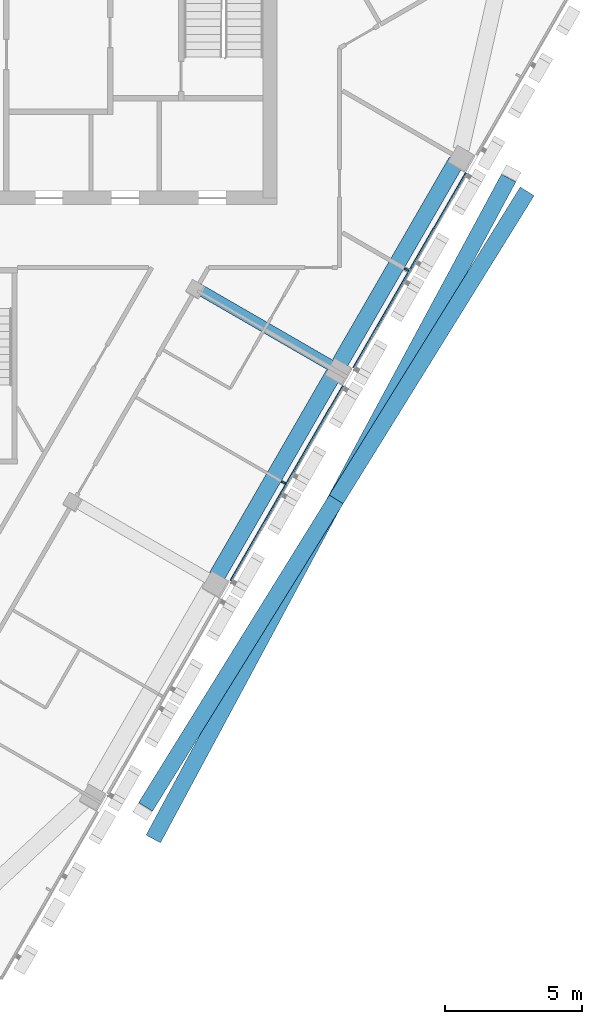
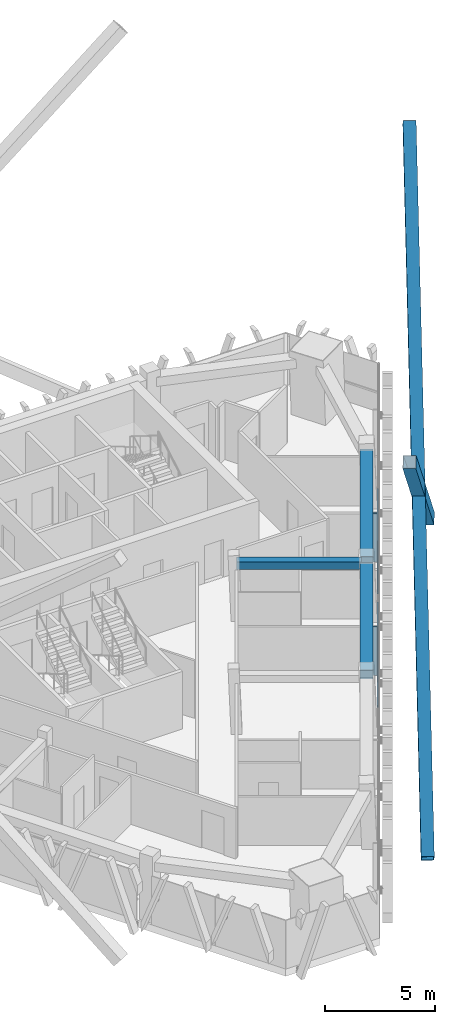
# One storey, part 4 of 14: 8 members, 3 beams, 1 element without a shape of its own.
"""IFC4 building model written with IfcOpenShell, lengths in metres."""

from ifc_helpers import new_model, si_unit, direction, frame, origin, origin_2d, place, context, subcontext, project, spatial, rectangle, hollow_rectangle, extrude, material, layer, layer_set, material_profile, profile_set, type_object, element, aggregate, save


model = new_model("IFC4")

# Units and contexts
model_context = context("Model", 3, precision=1e-05, world=origin(), true_north=direction((0.0, 1.0)))
body_context = subcontext(model_context, "Body", "Model", "MODEL_VIEW")
ifc_project = project(units=[si_unit("LENGTHUNIT", "METRE"), si_unit("AREAUNIT", "SQUARE_METRE"), si_unit("VOLUMEUNIT", "CUBIC_METRE"), si_unit("PLANEANGLEUNIT", "RADIAN"), si_unit("MASSUNIT", "GRAM", prefix="KILO")], contexts=[model_context])

# Site, building, storey
site_placement = place(None, origin())
site = spatial("IfcSite", under=ifc_project, at=site_placement, CompositionType="ELEMENT")
building_placement = place(site_placement, origin())
building = spatial("IfcBuilding", under=site, at=building_placement, Name="Altiplano Prism Tower", CompositionType="ELEMENT")
storey_placement = place(building_placement, frame((0.0, 0.0, 264.39990234375)))
storey = spatial("IfcBuildingStorey", under=building, at=storey_placement, Name="L68", CompositionType="ELEMENT", Elevation=264.39990234375)

# Curtain wall, members
ifc_material_1 = material(Name="Aluminium and glass", Category="aluminium")
ifc_layer = layer(ifc_material_1, 0.280029296875)
ifc_layer_set = layer_set([ifc_layer], Name="Aluminium and glass")
curtain_wall_type = type_object("IfcCurtainWallType", Name="CW1 typical co-living unitised curtain wall", PredefinedType="NOTDEFINED", material=ifc_layer_set)
curtain_wall_placement = place(storey_placement, origin())
curtain_wall = element("IfcCurtainWall", 1, at=curtain_wall_placement, inside=storey, type_object=curtain_wall_type, Name="CW1 curtain wall south-east face L68", PredefinedType="NOTDEFINED")
ifc_material_2 = material(Name="Aluminium", Category="aluminium")
ifc_material_profile_1 = material_profile(ifc_material_2, rectangle(XDim=0.179931640625, YDim=0.06494140625, at=origin_2d()), Name="CW1 mullion 65 x 180")
ifc_profile_set_1 = profile_set([ifc_material_profile_1], Name="Aluminium")
member_type_1 = type_object("IfcMemberType", Name="CW1 mullion 65 x 180", PredefinedType="MULLION", material=ifc_profile_set_1)
member_1_placement = place(storey_placement, frame((97.7470703125, 82.7314453125, 0.0), z_axis=(0.0, 0.0, 1.0), x_axis=(-0.866025409343, 0.499999990372, 0.0)))
member_1 = element("IfcMember", 2, at=member_1_placement, type_object=member_type_1, Name="CW1 mullion", PredefinedType="MULLION", context=body_context, shape_type="SweptSolid", body=[
    extrude(rectangle(XDim=0.179931640625, YDim=0.06494140625, at=origin_2d()), origin(), (0.0, 0.0, 1.0), 2.7001953125),
])
member_2_placement = place(storey_placement, frame((102.2470703125, 90.525634765625, 0.0), z_axis=(0.0, 0.0, 1.0), x_axis=(-0.866025409343, 0.499999990372, 0.0)))
member_2 = element("IfcMember", 3, at=member_2_placement, type_object=member_type_1, Name="CW1 mullion", PredefinedType="MULLION", context=body_context, shape_type="SweptSolid", body=[
    extrude(rectangle(XDim=0.179931640625, YDim=0.06494140625, at=origin_2d()), origin(), (0.0, 0.0, 1.0), 2.7001953125),
])
ifc_material_profile_2 = material_profile(ifc_material_2, rectangle(XDim=0.06005859375, YDim=0.080078125, at=origin_2d()), Name="CW1 transom 80 x 60")
ifc_profile_set_2 = profile_set([ifc_material_profile_2], Name="Aluminium")
member_type_2 = type_object("IfcMemberType", Name="CW1 transom 80 x 60", PredefinedType="USERDEFINED", material=ifc_profile_set_2)
member_3_placement = place(storey_placement, frame((95.81591796875, 79.146240234375, 1.10009765625), z_axis=(0.499991554064, 0.866030279993, 0.0), x_axis=(-0.866030279993, 0.499991554064, 0.0)))
member_3 = element("IfcMember", 4, at=member_3_placement, type_object=member_type_2, Name="CW1 transom", ObjectType="TRANSOM", PredefinedType="USERDEFINED", context=body_context, shape_type="SweptSolid", body=[
    extrude(rectangle(XDim=0.06005859375, YDim=0.080078125, at=origin_2d()), origin(), (0.0, 0.0, 1.0), 8.219970703125),
])
member_4_placement = place(storey_placement, frame((100.31591796875, 86.9404296875, 1.10009765625), z_axis=(0.499991554064, 0.866030279993, 0.0), x_axis=(-0.866030279993, 0.499991554064, 0.0)))
member_4 = element("IfcMember", 5, at=member_4_placement, type_object=member_type_2, Name="CW1 transom", ObjectType="TRANSOM", PredefinedType="USERDEFINED", context=body_context, shape_type="SweptSolid", body=[
    extrude(rectangle(XDim=0.06005859375, YDim=0.080078125, at=origin_2d()), origin(), (0.0, 0.0, 1.0), 8.219970703125),
])
aggregate(curtain_wall, [member_1, member_3, member_2, member_4])

# Beams
ifc_material_3 = material(Name="Concrete C60/75", Category="concrete")
ifc_material_profile_3 = material_profile(ifc_material_3, rectangle(XDim=0.60009765625, YDim=0.5, at=origin_2d()), Name="Edge beam 600x500")
ifc_profile_set_3 = profile_set([ifc_material_profile_3], Name="Concrete C60/75")
beam_type_1 = type_object("IfcBeamType", Name="Edge beam 600x500", PredefinedType="SPANDREL", material=ifc_profile_set_3)
for number, where, z_axis, x_axis, name in (
    (6, (95.306884765625, 79.302001953125, 2.9501953125), (0.500007039007, 0.866021339774, 0.0), (-0.866021339774, 0.500007039007, 0.0), "Edge beam P22-P23 L69"),
    (7, (99.806884765625, 87.09619140625, 2.9501953125), (0.500007039007, 0.866021339774, 0.0), (-0.866021339774, 0.500007039007, 0.0), "Edge beam P23-P24 L69"),
):
    element("IfcBeam", number, at=place(storey_placement, frame(where, z_axis=z_axis, x_axis=x_axis)), inside=storey, type_object=beam_type_1, Name=name, PredefinedType="SPANDREL", context=body_context, shape_type="SweptSolid", body=[
        extrude(rectangle(XDim=0.60009765625, YDim=0.5, at=origin_2d()), origin(), (0.0, 0.0, 1.0), 8.5400390625),
    ])

# Members
ifc_material_4 = material(Name="Steel S355", Category="steel")
ifc_material_profile_4 = material_profile(ifc_material_4, hollow_rectangle(XDim=0.60009765625, YDim=0.60009765625, WallThickness=0.030029296875, at=origin_2d()), Name="Mega brace Box 600x600x30")
ifc_profile_set_4 = profile_set([ifc_material_profile_4], Name="Steel S355")
member_type_3 = type_object("IfcMemberType", Name="Mega brace Box 600x600x30", PredefinedType="BRACE", material=ifc_profile_set_4)
member_5_placement = place(storey_placement, frame((93.06689453125, 69.844970703125, -0.75), z_axis=(0.371738044447, 0.69133656944, 0.619568054427), x_axis=(-0.880747542721, 0.47358607031, 0.0)))
element("IfcMember", 8, at=member_5_placement, inside=storey, type_object=member_type_3, Name="Mega brace 7.2.1", PredefinedType="BRACE", context=body_context, shape_type="SweptSolid", body=[
    extrude(hollow_rectangle(XDim=0.60009765625, YDim=0.60009765625, WallThickness=0.030029296875, at=origin_2d()), origin(), (0.0, 0.0, 1.0), 17.512451171875),
])
member_6_placement = place(storey_placement, frame((99.576904296875, 81.951904296875, 10.10009765625), z_axis=(0.371745593741, 0.691346257091, 0.619552714739), x_axis=(-0.880746299205, 0.47358838292, 0.0)))
element("IfcMember", 9, at=member_6_placement, inside=storey, type_object=member_type_3, Name="Mega brace 7.2.2", PredefinedType="BRACE", context=body_context, shape_type="SweptSolid", body=[
    extrude(hollow_rectangle(XDim=0.60009765625, YDim=0.60009765625, WallThickness=0.030029296875, at=origin_2d()), origin(), (0.0, 0.0, 1.0), 17.482421875),
])
member_7_placement = place(storey_placement, frame((106.56689453125, 93.227783203125, -0.75), z_axis=(-0.407851811741, -0.657924759075, 0.633081283134), x_axis=(0.849938293125, -0.526882242897, 0.0)))
element("IfcMember", 10, at=member_7_placement, inside=storey, type_object=member_type_3, Name="Mega brace 7.2.3", PredefinedType="BRACE", context=body_context, shape_type="SweptSolid", body=[
    extrude(hollow_rectangle(XDim=0.60009765625, YDim=0.60009765625, WallThickness=0.030029296875, at=origin_2d()), origin(), (0.0, 0.0, 1.0), 17.138671875),
])
member_8_placement = place(storey_placement, frame((99.576904296875, 81.951904296875, 10.10009765625), z_axis=(-0.407858383914, -0.657916200692, 0.633085943248), x_axis=(0.849931421706, -0.526893327342, 0.0)))
element("IfcMember", 11, at=member_8_placement, inside=storey, type_object=member_type_3, Name="Mega brace 7.2.4", PredefinedType="BRACE", context=body_context, shape_type="SweptSolid", body=[
    extrude(hollow_rectangle(XDim=0.60009765625, YDim=0.60009765625, WallThickness=0.030029296875, at=origin_2d()), origin(), (0.0, 0.0, 1.0), 17.1083984375),
])

# Beam
ifc_material_profile_5 = material_profile(ifc_material_3, rectangle(XDim=0.39990234375, YDim=0.39990234375, at=origin_2d()), Name="Tie beam 400x400")
ifc_profile_set_5 = profile_set([ifc_material_profile_5], Name="Concrete C60/75")
beam_type_2 = type_object("IfcBeamType", Name="Tie beam 400x400", PredefinedType="BEAM", material=ifc_profile_set_5)
beam_placement = place(storey_placement, frame((94.565185546875, 89.85693359375, 3.0), z_axis=(0.866019095539, -0.500010926042, 0.0), x_axis=(0.500010926042, 0.866019095539, 0.0)))
element("IfcBeam", 12, at=beam_placement, inside=storey, type_object=beam_type_2, Name="Tie beam I23 L69", PredefinedType="BEAM", context=body_context, shape_type="SweptSolid", body=[
    extrude(rectangle(XDim=0.39990234375, YDim=0.39990234375, at=origin_2d()), origin(), (0.0, 0.0, 1.0), 5.689697265625),
])

save(model, "model.ifc")
